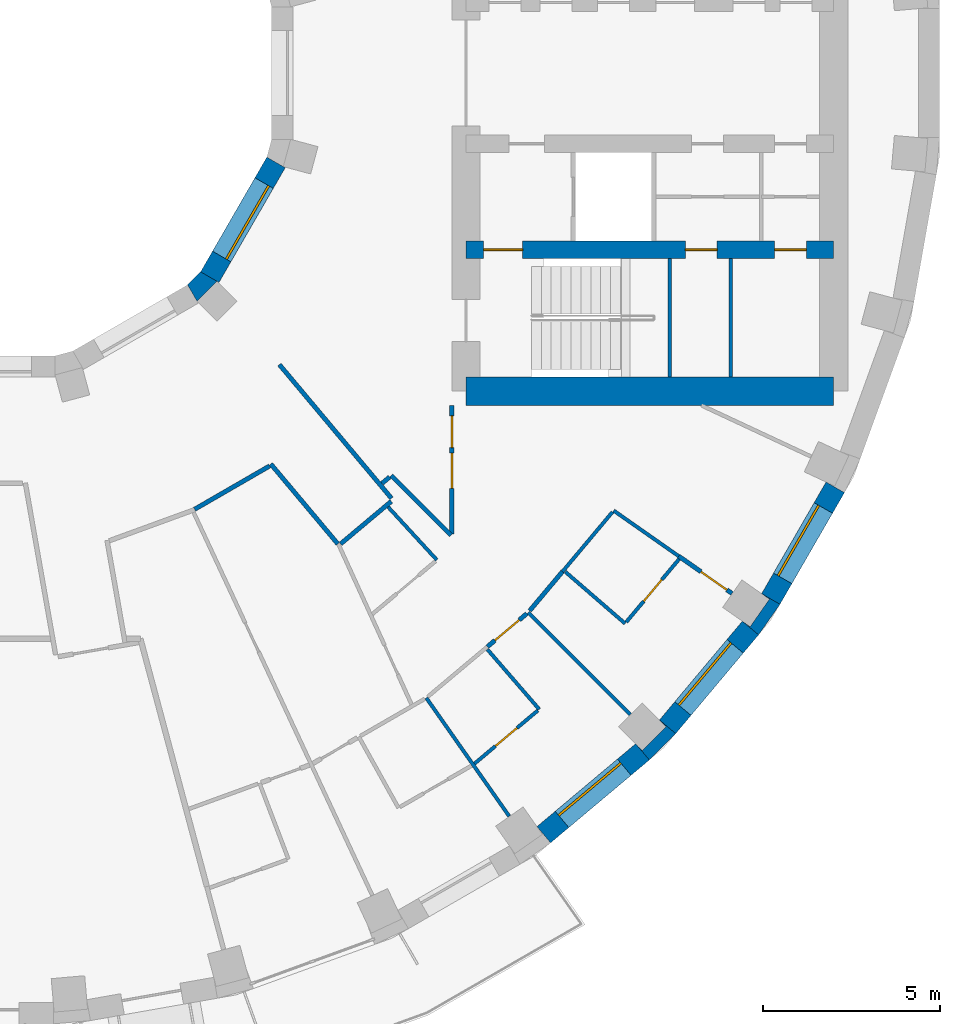
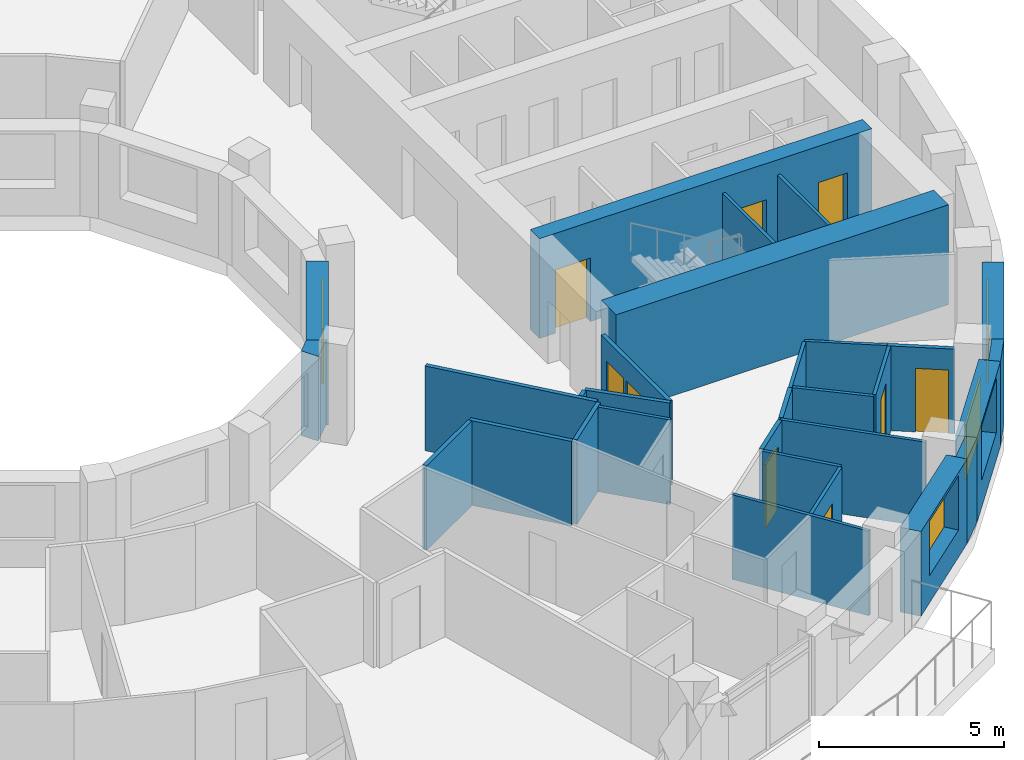
# One storey, part 9 of 16: 30 walls, 9 doors, 4 windows, 13 openings.
"""IFC4 building model written with IfcOpenShell, lengths in metres."""

from ifc_helpers import new_model, si_unit, direction, frame, frame_2d, origin, place, context, subcontext, project, spatial, polyline, rectangle, outline, extrude, material, layer, layer_set, type_object, element, fill, save


model = new_model("IFC4")

# Units and contexts
model_context = context("Model", 3, precision=1e-05, world=origin(), true_north=direction((0.0, 1.0)))
body_context = subcontext(model_context, "Body", "Model", "MODEL_VIEW")
ifc_project = project(units=[si_unit("LENGTHUNIT", "METRE"), si_unit("AREAUNIT", "SQUARE_METRE"), si_unit("VOLUMEUNIT", "CUBIC_METRE"), si_unit("PLANEANGLEUNIT", "RADIAN"), si_unit("MASSUNIT", "GRAM", prefix="KILO")], contexts=[model_context])

# Site, building, storey
site_placement = place(None, origin())
site = spatial("IfcSite", under=ifc_project, at=site_placement, CompositionType="ELEMENT")
building_placement = place(site_placement, origin())
building = spatial("IfcBuilding", under=site, at=building_placement, Name="Saqina Gate Tower", CompositionType="ELEMENT")
storey_placement = place(building_placement, frame((0.0, 0.0, 144.699951171875)))
storey = spatial("IfcBuildingStorey", under=building, at=storey_placement, Name="L41", CompositionType="ELEMENT", Elevation=144.699951171875)

# Walls
ifc_material_1 = material(Name="Brick masonry (buff)", Category="masonry")
wall_type_1 = type_object("IfcWallType", Name="BRICK PIER COPING BUFF", PredefinedType="SOLIDWALL", material=ifc_material_1)
wall_1_placement = place(storey_placement, origin())
element("IfcWall", 1, at=wall_1_placement, inside=storey, type_object=wall_type_1, Name="Pier cap L41 column 32", PredefinedType="SOLIDWALL", context=body_context, shape_type="SweptSolid", body=[
    extrude(outline(polyline([(18.686279296875, -19.43212890625), (19.43212890625, -18.686279296875), (18.972412109375, -18.30078125), (19.16259765625, -18.49072265625), (18.49072265625, -19.16259765625), (18.30078125, -18.972412109375), (18.686279296875, -19.43212890625)])), origin(), (0.0, 0.0, 1.0), 2.800048828125),
])
wall_2_placement = place(storey_placement, origin())
element("IfcWall", 2, at=wall_2_placement, inside=storey, type_object=wall_type_1, Name="Pier cap L41 column 33", PredefinedType="SOLIDWALL", context=body_context, shape_type="SweptSolid", body=[
    extrude(outline(polyline([(22.3818359375, -15.0283203125), (21.862060546875, -14.728271484375), (22.08251953125, -14.88232421875), (21.53759765625, -15.66064453125), (21.317138671875, -15.50634765625), (21.77685546875, -15.89208984375), (22.3818359375, -15.0283203125)])), origin(), (0.0, 0.0, 1.0), 2.800048828125),
])
ifc_material_2 = material(Name="Gypsum board on steel studs", Category="steel")
ifc_layer_1 = layer(ifc_material_2, 0.10009765625)
ifc_layer_set_1 = layer_set([ifc_layer_1], Name="CORE PARTITION")
wall_type_2 = type_object("IfcWallType", Name="CORE PARTITION", PredefinedType="PARTITIONING", material=ifc_layer_set_1)
wall_3_placement = place(storey_placement, frame((20.991943359375, -8.60009765625, 0.0), z_axis=(0.0, 0.0, 1.0), x_axis=(0.0, 1.0, 0.0)))
element("IfcWall", 3, at=wall_3_placement, inside=storey, type_object=wall_type_2, Name="L41-CP-E16", PredefinedType="PARTITIONING", context=body_context, shape_type="SweptSolid", body=[
    extrude(rectangle(XDim=3.35009765625, YDim=0.10009765625, at=frame_2d((1.675048828125, 0.0))), origin(), (0.0, 0.0, 1.0), 2.800048828125),
])

# Wall, opening, window
ifc_material_3 = material(Name="Brick masonry (buff)", Category="masonry")
ifc_layer_2 = layer(ifc_material_3, 0.60009765625)
ifc_layer_set_2 = layer_set([ifc_layer_2], Name="FW-BRICK-BUFF")
wall_type_3 = type_object("IfcWallType", Name="FW-BRICK-BUFF", PredefinedType="SOLIDWALL", material=ifc_layer_set_2)
wall_4_placement = place(storey_placement, frame((15.69921875, -21.547119140625, 0.0), z_axis=(0.0, 0.0, 1.0), x_axis=(0.766055462616, 0.642774476932, 0.0)))
wall_4 = element("IfcWall", 4, at=wall_4_placement, inside=storey, type_object=wall_type_3, Name="Facade wall L41 facet 31", PredefinedType="SOLIDWALL", context=body_context, shape_type="SweptSolid", body=[
    extrude(rectangle(XDim=3.647705078125, YDim=0.60009765625, at=frame_2d((1.82373046875, 0.0))), origin(), (0.0, 0.0, 1.0), 2.800048828125),
])
opening_1_placement = place(wall_4_placement, frame((0.673828125, 0.0, 0.89990234375)))
opening_1 = element("IfcOpeningElement", 5, at=opening_1_placement, cuts=wall_4, Name="Opening G12-W20", PredefinedType="OPENING", context=body_context, shape_type="SweptSolid", body=[
    extrude(rectangle(XDim=2.300048828125, YDim=1.800048828125, at=frame_2d((1.14990234375, 0.89990234375))), frame((0.0, 0.31201171875, 0.0), z_axis=(0.0, -1.0, 0.0), x_axis=(1.0, 0.0, 0.0)), (0.0, 0.0, 1.0), 0.6240234375),
])
ifc_material_4 = material(Name="Aluminium glazing", Category="aluminium")
window_type_1 = type_object("IfcWindowType", Name="WN-B", PartitioningType="SINGLE_PANEL", PredefinedType="WINDOW", material=ifc_material_4)
window_1_placement = place(opening_1_placement, origin())
window_1 = element("IfcWindow", 6, at=window_1_placement, inside=storey, type_object=window_type_1, Name="Window L41 facet 31", OverallHeight=1.800048828125, OverallWidth=2.300048828125, PartitioningType="SINGLE_PANEL", PredefinedType="WINDOW", context=body_context, shape_type="SweptSolid", body=[
    extrude(rectangle(XDim=2.300048828125, YDim=1.800048828125, at=frame_2d((1.14990234375, 0.89990234375))), frame((0.0, 0.179931640625, 0.0), z_axis=(0.0, -1.0, 0.0), x_axis=(1.0, 0.0, 0.0)), (0.0, 0.0, 1.0), 0.06005859375),
])
fill(opening_1, window_1)

wall_5_placement = place(storey_placement, frame((19.202392578125, -18.49365234375, 0.0), z_axis=(0.0, 0.0, 1.0), x_axis=(0.642774476932, 0.766055462616, 0.0)))
wall_5 = element("IfcWall", 7, at=wall_5_placement, inside=storey, type_object=wall_type_3, Name="Facade wall L41 facet 32", PredefinedType="SOLIDWALL", context=body_context, shape_type="SweptSolid", body=[
    extrude(rectangle(XDim=3.647705078125, YDim=0.60009765625, at=frame_2d((1.82373046875, 0.0))), origin(), (0.0, 0.0, 1.0), 2.800048828125),
])
opening_2_placement = place(wall_5_placement, frame((0.673828125, 0.0, 0.89990234375)))
opening_2 = element("IfcOpeningElement", 8, at=opening_2_placement, cuts=wall_5, Name="Opening G12-W21", PredefinedType="OPENING", context=body_context, shape_type="SweptSolid", body=[
    extrude(rectangle(XDim=2.300048828125, YDim=1.800048828125, at=frame_2d((1.14990234375, 0.89990234375))), frame((0.0, 0.31201171875, 0.0), z_axis=(0.0, -1.0, 0.0), x_axis=(1.0, 0.0, 0.0)), (0.0, 0.0, 1.0), 0.6240234375),
])
window_2_placement = place(opening_2_placement, origin())
window_2 = element("IfcWindow", 9, at=window_2_placement, inside=storey, type_object=window_type_1, Name="Window L41 facet 32", OverallHeight=1.800048828125, OverallWidth=2.300048828125, PartitioningType="SINGLE_PANEL", PredefinedType="WINDOW", context=body_context, shape_type="SweptSolid", body=[
    extrude(rectangle(XDim=2.300048828125, YDim=1.800048828125, at=frame_2d((1.14990234375, 0.89990234375))), frame((0.0, 0.179931640625, 0.0), z_axis=(0.0, -1.0, 0.0), x_axis=(1.0, 0.0, 0.0)), (0.0, 0.0, 1.0), 0.06005859375),
])
fill(opening_2, window_2)

wall_6_placement = place(storey_placement, frame((22.1220703125, -14.878173828125, 0.0), z_axis=(0.0, 0.0, 1.0), x_axis=(0.499954196102, 0.866051847062, 0.0)))
wall_6 = element("IfcWall", 10, at=wall_6_placement, inside=storey, type_object=wall_type_3, Name="Facade wall L41 facet 33", PredefinedType="SOLIDWALL", context=body_context, shape_type="SweptSolid", body=[
    extrude(rectangle(XDim=3.647705078125, YDim=0.60009765625, at=frame_2d((1.82373046875, 0.0))), origin(), (0.0, 0.0, 1.0), 2.800048828125),
])
opening_3_placement = place(wall_6_placement, frame((0.673828125, 0.0, 0.89990234375)))
opening_3 = element("IfcOpeningElement", 11, at=opening_3_placement, cuts=wall_6, Name="Opening G12-W22", PredefinedType="OPENING", context=body_context, shape_type="SweptSolid", body=[
    extrude(rectangle(XDim=2.300048828125, YDim=1.800048828125, at=frame_2d((1.14990234375, 0.89990234375))), frame((0.0, 0.31201171875, 0.0), z_axis=(0.0, -1.0, 0.0), x_axis=(1.0, 0.0, 0.0)), (0.0, 0.0, 1.0), 0.6240234375),
])
window_3_placement = place(opening_3_placement, origin())
window_3 = element("IfcWindow", 12, at=window_3_placement, inside=storey, type_object=window_type_1, Name="Window L41 facet 33", OverallHeight=1.800048828125, OverallWidth=2.300048828125, PartitioningType="SINGLE_PANEL", PredefinedType="WINDOW", context=body_context, shape_type="SweptSolid", body=[
    extrude(rectangle(XDim=2.300048828125, YDim=1.800048828125, at=frame_2d((1.14990234375, 0.89990234375))), frame((0.0, 0.179931640625, 0.0), z_axis=(0.0, -1.0, 0.0), x_axis=(1.0, 0.0, 0.0)), (0.0, 0.0, 1.0), 0.06005859375),
])
fill(opening_3, window_3)

ifc_material_5 = material(Name="Glazed ceramic tile", Category="ceramic")
ifc_layer_3 = layer(ifc_material_5, 0.60009765625)
ifc_layer_set_3 = layer_set([ifc_layer_3], Name="IW-TILE")
wall_type_4 = type_object("IfcWallType", Name="IW-TILE", PredefinedType="SOLIDWALL", material=ifc_layer_set_3)
wall_7_placement = place(storey_placement, frame((6.251220703125, -5.772705078125, 0.0), z_axis=(0.0, 0.0, 1.0), x_axis=(0.499964958637, 0.86604563398, 0.0)))
wall_7 = element("IfcWall", 13, at=wall_7_placement, inside=storey, type_object=wall_type_4, Name="Well wall L41 facet 11", PredefinedType="SOLIDWALL", context=body_context, shape_type="SweptSolid", body=[
    extrude(rectangle(XDim=3.747314453125, YDim=0.60009765625, at=frame_2d((1.87353515625, 0.0))), origin(), (0.0, 0.0, 1.0), 2.800048828125),
])
opening_4_placement = place(wall_7_placement, frame((0.673583984375, 0.0, 0.89990234375)))
opening_4 = element("IfcOpeningElement", 14, at=opening_4_placement, cuts=wall_7, Name="Opening G12-W33", PredefinedType="OPENING", context=body_context, shape_type="SweptSolid", body=[
    extrude(rectangle(XDim=2.39990234375, YDim=1.800048828125, at=frame_2d((1.199951171875, 0.89990234375))), frame((0.0, 0.31201171875, 0.0), z_axis=(0.0, -1.0, 0.0), x_axis=(1.0, 0.0, 0.0)), (0.0, 0.0, 1.0), 0.6240234375),
])
ifc_material_6 = material(Name="Aluminium glazing", Category="aluminium")
window_type_2 = type_object("IfcWindowType", Name="WN-W", PartitioningType="SINGLE_PANEL", PredefinedType="WINDOW", material=ifc_material_6)
window_4_placement = place(opening_4_placement, origin())
window_4 = element("IfcWindow", 15, at=window_4_placement, inside=storey, type_object=window_type_2, Name="Well window L41 facet 11", OverallHeight=1.800048828125, OverallWidth=2.39990234375, PartitioningType="SINGLE_PANEL", PredefinedType="WINDOW", context=body_context, shape_type="SweptSolid", body=[
    extrude(rectangle(XDim=2.39990234375, YDim=1.800048828125, at=frame_2d((1.199951171875, 0.89990234375))), frame((0.0, -0.119873046875, 0.0), z_axis=(0.0, -1.0, 0.0), x_axis=(1.0, 0.0, 0.0)), (0.0, 0.0, 1.0), 0.06005859375),
])
fill(opening_4, window_4)

# Walls
ifc_material_7 = material(Name="Gypsum board on steel studs, 100 mm", Category="steel")
ifc_layer_4 = layer(ifc_material_7, 0.10009765625)
ifc_layer_set_4 = layer_set([ifc_layer_4], Name="PARTITION 100")
wall_type_5 = type_object("IfcWallType", Name="PARTITION 100", PredefinedType="PARTITIONING", material=ifc_layer_set_4)
wall_8_placement = place(storey_placement, frame((12.376953125, -17.677001953125, 0.0), z_axis=(0.0, 0.0, 1.0), x_axis=(0.573843281236, -0.818965132702, 0.0)))
element("IfcWall", 16, at=wall_8_placement, inside=storey, type_object=wall_type_5, Name="PARTITION PW3-13", PredefinedType="PARTITIONING", context=body_context, shape_type="SweptSolid", body=[
    extrude(rectangle(XDim=4.085693359375, YDim=0.10009765625, at=frame_2d((2.04296875, 0.0))), origin(), (0.0, 0.0, 1.0), 2.800048828125),
])
wall_9_placement = place(storey_placement, frame((14.10693359375, -16.307373046875, 0.0), z_axis=(0.0, 0.0, 1.0), x_axis=(0.654423540777, -0.756128183099, 0.0)))
element("IfcWall", 17, at=wall_9_placement, inside=storey, type_object=wall_type_5, Name="PARTITION PW3-20", PredefinedType="PARTITIONING", context=body_context, shape_type="SweptSolid", body=[
    extrude(rectangle(XDim=2.2373046875, YDim=0.10009765625, at=frame_2d((1.11865234375, 0.0))), origin(), (0.0, 0.0, 1.0), 2.800048828125),
])
wall_10_placement = place(storey_placement, frame((11.29541015625, -12.27392578125, 0.0), z_axis=(0.0, 0.0, 1.0), x_axis=(0.676981317167, -0.736000201228, 0.0)))
element("IfcWall", 18, at=wall_10_placement, inside=storey, type_object=wall_type_5, Name="PARTITION PW3-22", PredefinedType="PARTITIONING", context=body_context, shape_type="SweptSolid", body=[
    extrude(rectangle(XDim=2.039306640625, YDim=0.10009765625, at=frame_2d((1.01953125, 0.0))), origin(), (0.0, 0.0, 1.0), 2.800048828125),
])
wall_11_placement = place(storey_placement, frame((15.259033203125, -15.259033203125, 0.0), z_axis=(0.0, 0.0, 1.0), x_axis=(0.707106781187, -0.707106781187, 0.0)))
element("IfcWall", 19, at=wall_11_placement, inside=storey, type_object=wall_type_5, Name="PARTITION PW3-24", PredefinedType="PARTITIONING", context=body_context, shape_type="SweptSolid", body=[
    extrude(rectangle(XDim=4.08544921875, YDim=0.10009765625, at=frame_2d((2.042724609375, 0.0))), origin(), (0.0, 0.0, 1.0), 2.800048828125),
])
wall_12_placement = place(storey_placement, frame((16.307373046875, -14.10693359375, 0.0), z_axis=(0.0, 0.0, 1.0), x_axis=(0.756128183099, -0.654423540777, 0.0)))
element("IfcWall", 20, at=wall_12_placement, inside=storey, type_object=wall_type_5, Name="PARTITION PW3-25", PredefinedType="PARTITIONING", context=body_context, shape_type="SweptSolid", body=[
    extrude(rectangle(XDim=2.2373046875, YDim=0.10009765625, at=frame_2d((1.11865234375, 0.0))), origin(), (0.0, 0.0, 1.0), 2.800048828125),
])
wall_13_placement = place(storey_placement, frame((17.677001953125, -12.377197265625, 0.0), z_axis=(0.0, 0.0, 1.0), x_axis=(0.81912468453, -0.573615508153, 0.0)))
element("IfcWall", 21, at=wall_13_placement, inside=storey, type_object=wall_type_5, Name="PARTITION PW3-34", PredefinedType="PARTITIONING", context=body_context, shape_type="SweptSolid", body=[
    extrude(rectangle(XDim=2.246337890625, YDim=0.10009765625, at=frame_2d((1.123046875, 0.0))), origin(), (0.0, 0.0, 1.0), 2.800048828125),
])

# Wall, opening, door
wall_14_placement = place(storey_placement, frame((13.740234375, -19.535888671875, 0.0), z_axis=(0.0, 0.0, 1.0), x_axis=(0.765924716163, 0.642930267735, 0.0)))
wall_14 = element("IfcWall", 22, at=wall_14_placement, inside=storey, type_object=wall_type_5, Name="PARTITION PW3-80", PredefinedType="PARTITIONING", context=body_context, shape_type="SweptSolid", body=[
    extrude(rectangle(XDim=2.34033203125, YDim=0.10009765625, at=frame_2d((1.170166015625, 0.0))), origin(), (0.0, 0.0, 1.0), 2.800048828125),
])
opening_5_placement = place(wall_14_placement, frame((0.77001953125, 0.0, 0.0)))
opening_5 = element("IfcOpeningElement", 23, at=opening_5_placement, cuts=wall_14, Name="Opening G12-D55", PredefinedType="OPENING", context=body_context, shape_type="SweptSolid", body=[
    extrude(rectangle(XDim=0.800048828125, YDim=2.10009765625, at=frame_2d((0.39990234375, 1.050048828125))), frame((0.0, 0.06201171875, 0.0), z_axis=(0.0, -1.0, 0.0), x_axis=(1.0, 0.0, 0.0)), (0.0, 0.0, 1.0), 0.1240234375),
])
ifc_material_8 = material(Name="Timber door leaf, 800 mm", Category="wood")
door_type_1 = type_object("IfcDoorType", Name="DOOR 800 TIMBER", OperationType="SINGLE_SWING_LEFT", PredefinedType="DOOR", material=ifc_material_8)
door_1_placement = place(opening_5_placement, frame((0.800048828125, 0.0, 0.0), z_axis=(0.0, 0.0, 1.0), x_axis=(-1.0, 0.0, 0.0)))
door_1 = element("IfcDoor", 24, at=door_1_placement, inside=storey, type_object=door_type_1, Name="DOOR G12-D55", OperationType="SINGLE_SWING_RIGHT", OverallHeight=2.10009765625, OverallWidth=0.800048828125, PredefinedType="DOOR", context=body_context, shape_type="SweptSolid", body=[
    extrude(rectangle(XDim=0.800048828125, YDim=2.10009765625, at=frame_2d((0.39990234375, 1.050048828125))), frame((0.0, 0.02490234375, 0.0), z_axis=(0.0, -1.0, 0.0), x_axis=(1.0, 0.0, 0.0)), (0.0, 0.0, 1.0), 0.050048828125),
])
fill(opening_5, door_1)

wall_15_placement = place(storey_placement, frame((18.03125, -15.53271484375, 0.0), z_axis=(0.0, 0.0, 1.0), x_axis=(0.64291410234, 0.765938285381, 0.0)))
wall_15 = element("IfcWall", 25, at=wall_15_placement, inside=storey, type_object=wall_type_5, Name="PARTITION PW3-90", PredefinedType="PARTITIONING", context=body_context, shape_type="SweptSolid", body=[
    extrude(rectangle(XDim=2.327880859375, YDim=0.10009765625, at=frame_2d((1.1640625, 0.0))), origin(), (0.0, 0.0, 1.0), 2.800048828125),
])
opening_6_placement = place(wall_15_placement, frame((0.77001953125, 0.0, 0.0)))
opening_6 = element("IfcOpeningElement", 26, at=opening_6_placement, cuts=wall_15, Name="Opening G12-D59", PredefinedType="OPENING", context=body_context, shape_type="SweptSolid", body=[
    extrude(rectangle(XDim=0.800048828125, YDim=2.10009765625, at=frame_2d((0.39990234375, 1.050048828125))), frame((0.0, 0.06201171875, 0.0), z_axis=(0.0, -1.0, 0.0), x_axis=(1.0, 0.0, 0.0)), (0.0, 0.0, 1.0), 0.1240234375),
])
door_2_placement = place(opening_6_placement, frame((0.800048828125, 0.0, 0.0), z_axis=(0.0, 0.0, 1.0), x_axis=(-1.0, 0.0, 0.0)))
door_2 = element("IfcDoor", 27, at=door_2_placement, inside=storey, type_object=door_type_1, Name="DOOR G12-D59", OperationType="SINGLE_SWING_LEFT", OverallHeight=2.10009765625, OverallWidth=0.800048828125, PredefinedType="DOOR", context=body_context, shape_type="SweptSolid", body=[
    extrude(rectangle(XDim=0.800048828125, YDim=2.10009765625, at=frame_2d((0.39990234375, 1.050048828125))), frame((0.0, 0.02490234375, 0.0), z_axis=(0.0, -1.0, 0.0), x_axis=(1.0, 0.0, 0.0)), (0.0, 0.0, 1.0), 0.050048828125),
])
fill(opening_6, door_2)

# Walls
wall_16_placement = place(storey_placement, frame((16.22802734375, -14.1044921875, 0.0), z_axis=(0.0, 0.0, 1.0), x_axis=(0.642710935311, 0.766108774021, 0.0)))
element("IfcWall", 28, at=wall_16_placement, inside=storey, type_object=wall_type_5, Name="PARTITION PW3-91", PredefinedType="PARTITIONING", context=body_context, shape_type="SweptSolid", body=[
    extrude(rectangle(XDim=2.2021484375, YDim=0.10009765625, at=frame_2d((1.10107421875, 0.0))), origin(), (0.0, 0.0, 1.0), 2.800048828125),
])
ifc_material_9 = material(Name="Gypsum board on steel studs, 125 mm, fire rated", Category="steel")
ifc_layer_5 = layer(ifc_material_9, 0.125)
ifc_layer_set_5 = layer_set([ifc_layer_5], Name="PARTITION EI 30 125")
wall_type_6 = type_object("IfcWallType", Name="PARTITION EI 30 125", PredefinedType="PARTITIONING", material=ifc_layer_set_5)
wall_17_placement = place(storey_placement, frame((7.97705078125, -11.05908203125, 0.0), z_axis=(0.0, 0.0, 1.0), x_axis=(0.642679638204, -0.766135028985, 0.0)))
element("IfcWall", 29, at=wall_17_placement, inside=storey, type_object=wall_type_6, Name="PARTITION PW1-06", PredefinedType="PARTITIONING", context=body_context, shape_type="SweptSolid", body=[
    extrude(rectangle(XDim=2.950439453125, YDim=0.125, at=frame_2d((1.47509765625, 0.0))), origin(), (0.0, 0.0, 1.0), 2.800048828125),
])
wall_18_placement = place(storey_placement, frame((8.2197265625, -8.246826171875, 0.0), z_axis=(0.0, 0.0, 1.0), x_axis=(0.642555132876, -0.766239454228, 0.0)))
element("IfcWall", 30, at=wall_18_placement, inside=storey, type_object=wall_type_6, Name="PARTITION PW1-08", PredefinedType="PARTITIONING", context=body_context, shape_type="SweptSolid", body=[
    extrude(rectangle(XDim=4.936767578125, YDim=0.125, at=frame_2d((2.46826171875, 0.0))), origin(), (0.0, 0.0, 1.0), 2.800048828125),
])
wall_19_placement = place(storey_placement, frame((11.387939453125, -11.385009765625, 0.0), z_axis=(0.0, 0.0, 1.0), x_axis=(0.707157874563, -0.707055684118, 0.0)))
element("IfcWall", 31, at=wall_19_placement, inside=storey, type_object=wall_type_6, Name="PARTITION PW1-10", PredefinedType="PARTITIONING", context=body_context, shape_type="SweptSolid", body=[
    extrude(rectangle(XDim=2.38916015625, YDim=0.125, at=frame_2d((1.194580078125, 0.0))), origin(), (0.0, 0.0, 1.0), 2.800048828125),
])

# Wall, opening, door
wall_20_placement = place(storey_placement, frame((19.516845703125, -13.666259765625, 0.0), z_axis=(0.0, 0.0, 1.0), x_axis=(0.819319221636, -0.573337608271, 0.0)))
wall_20 = element("IfcWall", 32, at=wall_20_placement, inside=storey, type_object=wall_type_6, Name="PARTITION PW1-15", PredefinedType="PARTITIONING", context=body_context, shape_type="SweptSolid", body=[
    extrude(rectangle(XDim=1.839111328125, YDim=0.125, at=frame_2d((0.91943359375, 0.0))), origin(), (0.0, 0.0, 1.0), 2.800048828125),
])
opening_7_placement = place(wall_20_placement, frame((0.767333984375, 0.0, 0.0)))
opening_7 = element("IfcOpeningElement", 33, at=opening_7_placement, cuts=wall_20, Name="Opening G12-D61", PredefinedType="OPENING", context=body_context, shape_type="SweptSolid", body=[
    extrude(rectangle(XDim=0.89990234375, YDim=2.10009765625, at=frame_2d((0.449951171875, 1.050048828125))), frame((0.0, 0.074462890625, 0.0), z_axis=(0.0, -1.0, 0.0), x_axis=(1.0, 0.0, 0.0)), (0.0, 0.0, 1.0), 0.14892578125),
])
ifc_material_10 = material(Name="Fire door leaf EI 30, 900 mm")
door_type_2 = type_object("IfcDoorType", Name="DOOR 900 EI 30", OperationType="SINGLE_SWING_LEFT", PredefinedType="DOOR", material=ifc_material_10)
door_3_placement = place(opening_7_placement, origin())
door_3 = element("IfcDoor", 34, at=door_3_placement, inside=storey, type_object=door_type_2, Name="DOOR G12-D61", OperationType="SINGLE_SWING_RIGHT", OverallHeight=2.10009765625, OverallWidth=0.89990234375, PredefinedType="DOOR", context=body_context, shape_type="SweptSolid", body=[
    extrude(rectangle(XDim=0.89990234375, YDim=2.10009765625, at=frame_2d((0.449951171875, 1.050048828125))), frame((0.0, 0.02490234375, 0.0), z_axis=(0.0, -1.0, 0.0), x_axis=(1.0, 0.0, 0.0)), (0.0, 0.0, 1.0), 0.050048828125),
])
fill(opening_7, door_3)

# Walls
wall_21_placement = place(storey_placement, frame((5.822021484375, -12.33984375, 0.0), z_axis=(0.0, 0.0, 1.0), x_axis=(0.865951440693, 0.500128085955, 0.0)))
element("IfcWall", 35, at=wall_21_placement, inside=storey, type_object=wall_type_6, Name="PARTITION PW1-39", PredefinedType="PARTITIONING", context=body_context, shape_type="SweptSolid", body=[
    extrude(rectangle(XDim=2.448486328125, YDim=0.125, at=frame_2d((1.22412109375, 0.0))), origin(), (0.0, 0.0, 1.0), 2.800048828125),
])
wall_22_placement = place(storey_placement, frame((11.125, -11.606201171875, 0.0), z_axis=(0.0, 0.0, 1.0), x_axis=(0.766857755144, 0.641817094955, 0.0)))
element("IfcWall", 36, at=wall_22_placement, inside=storey, type_object=wall_type_6, Name="PARTITION PW1-43", PredefinedType="PARTITIONING", context=body_context, shape_type="SweptSolid", body=[
    extrude(rectangle(XDim=0.279296875, YDim=0.125, at=frame_2d((0.1396484375, 0.0))), origin(), (0.0, 0.0, 1.0), 2.800048828125),
])

# Wall, opening, door
wall_23_placement = place(storey_placement, frame((14.104248046875, -16.227783203125, 0.0), z_axis=(0.0, 0.0, 1.0), x_axis=(0.766114305984, 0.642704341177, 0.0)))
wall_23 = element("IfcWall", 37, at=wall_23_placement, inside=storey, type_object=wall_type_6, Name="PARTITION PW1-44", PredefinedType="PARTITIONING", context=body_context, shape_type="SweptSolid", body=[
    extrude(rectangle(XDim=1.4560546875, YDim=0.125, at=frame_2d((0.72802734375, 0.0))), origin(), (0.0, 0.0, 1.0), 2.800048828125),
])
opening_8_placement = place(wall_23_placement, frame((0.278076171875, 0.0, 0.0)))
opening_8 = element("IfcOpeningElement", 38, at=opening_8_placement, cuts=wall_23, Name="Opening G12-D57", PredefinedType="OPENING", context=body_context, shape_type="SweptSolid", body=[
    extrude(rectangle(XDim=0.89990234375, YDim=2.10009765625, at=frame_2d((0.449951171875, 1.050048828125))), frame((0.0, 0.074462890625, 0.0), z_axis=(0.0, -1.0, 0.0), x_axis=(1.0, 0.0, 0.0)), (0.0, 0.0, 1.0), 0.14892578125),
])
door_4_placement = place(opening_8_placement, origin())
door_4 = element("IfcDoor", 39, at=door_4_placement, inside=storey, type_object=door_type_2, Name="DOOR G12-D57", OperationType="SINGLE_SWING_RIGHT", OverallHeight=2.10009765625, OverallWidth=0.89990234375, PredefinedType="DOOR", context=body_context, shape_type="SweptSolid", body=[
    extrude(rectangle(XDim=0.89990234375, YDim=2.10009765625, at=frame_2d((0.449951171875, 1.050048828125))), frame((0.0, 0.02490234375, 0.0), z_axis=(0.0, -1.0, 0.0), x_axis=(1.0, 0.0, 0.0)), (0.0, 0.0, 1.0), 0.050048828125),
])
fill(opening_8, door_4)

# Walls
wall_24_placement = place(storey_placement, frame((9.95361328125, -13.3173828125, 0.0), z_axis=(0.0, 0.0, 1.0), x_axis=(0.766162509907, 0.642646876919, 0.0)))
element("IfcWall", 40, at=wall_24_placement, inside=storey, type_object=wall_type_6, Name="PARTITION PW1-45", PredefinedType="PARTITIONING", context=body_context, shape_type="SweptSolid", body=[
    extrude(rectangle(XDim=1.869873046875, YDim=0.125, at=frame_2d((0.93505859375, 0.0))), origin(), (0.0, 0.0, 1.0), 2.800048828125),
])
wall_25_placement = place(storey_placement, frame((15.300048828125, -15.210205078125, 0.0), z_axis=(0.0, 0.0, 1.0), x_axis=(0.642676314535, 0.766137817064, 0.0)))
element("IfcWall", 41, at=wall_25_placement, inside=storey, type_object=wall_type_6, Name="PARTITION PW1-51", PredefinedType="PARTITIONING", context=body_context, shape_type="SweptSolid", body=[
    extrude(rectangle(XDim=1.443603515625, YDim=0.125, at=frame_2d((0.7216796875, 0.0))), origin(), (0.0, 0.0, 1.0), 2.800048828125),
])

# Wall, openings, doors
wall_26_placement = place(storey_placement, frame((13.10009765625, -13.032470703125, 0.0), z_axis=(0.0, 0.0, 1.0), x_axis=(0.0, 1.0, 0.0)))
wall_26 = element("IfcWall", 42, at=wall_26_placement, inside=storey, type_object=wall_type_6, Name="PARTITION PW1-59", PredefinedType="PARTITIONING", context=body_context, shape_type="SweptSolid", body=[
    extrude(rectangle(XDim=3.631591796875, YDim=0.125, at=frame_2d((1.81591796875, 0.0))), origin(), (0.0, 0.0, 1.0), 2.800048828125),
])
opening_9_placement = place(wall_26_placement, frame((1.284423828125, 0.0, 0.0)))
opening_9 = element("IfcOpeningElement", 43, at=opening_9_placement, cuts=wall_26, Name="Opening G12-D58", PredefinedType="OPENING", context=body_context, shape_type="SweptSolid", body=[
    extrude(rectangle(XDim=1.0, YDim=2.10009765625, at=frame_2d((0.5, 1.050048828125))), frame((0.0, 0.074462890625, 0.0), z_axis=(0.0, -1.0, 0.0), x_axis=(1.0, 0.0, 0.0)), (0.0, 0.0, 1.0), 0.14892578125),
])
opening_10_placement = place(wall_26_placement, frame((2.4345703125, 0.0, 0.0)))
opening_10 = element("IfcOpeningElement", 44, at=opening_10_placement, cuts=wall_26, Name="Opening G12-D60", PredefinedType="OPENING", context=body_context, shape_type="SweptSolid", body=[
    extrude(rectangle(XDim=0.89990234375, YDim=2.10009765625, at=frame_2d((0.449951171875, 1.050048828125))), frame((0.0, 0.074462890625, 0.0), z_axis=(0.0, -1.0, 0.0), x_axis=(1.0, 0.0, 0.0)), (0.0, 0.0, 1.0), 0.14892578125),
])
ifc_material_11 = material(Name="Fire door leaf EI 30, 1000 mm")
door_type_3 = type_object("IfcDoorType", Name="DOOR 1000 EI 30", OperationType="SINGLE_SWING_LEFT", PredefinedType="DOOR", material=ifc_material_11)
door_5_placement = place(opening_9_placement, frame((1.0, 0.0, 0.0), z_axis=(0.0, 0.0, 1.0), x_axis=(-1.0, 0.0, 0.0)))
door_5 = element("IfcDoor", 45, at=door_5_placement, inside=storey, type_object=door_type_3, Name="DOOR G12-D58", OperationType="SINGLE_SWING_RIGHT", OverallHeight=2.10009765625, OverallWidth=1.0, PredefinedType="DOOR", context=body_context, shape_type="SweptSolid", body=[
    extrude(rectangle(XDim=1.0, YDim=2.10009765625, at=frame_2d((0.5, 1.050048828125))), frame((0.0, 0.02490234375, 0.0), z_axis=(0.0, -1.0, 0.0), x_axis=(1.0, 0.0, 0.0)), (0.0, 0.0, 1.0), 0.050048828125),
])
fill(opening_9, door_5)
door_6_placement = place(opening_10_placement, frame((0.89990234375, 0.0, 0.0), z_axis=(0.0, 0.0, 1.0), x_axis=(-1.0, 0.0, 0.0)))
door_6 = element("IfcDoor", 46, at=door_6_placement, inside=storey, type_object=door_type_2, Name="DOOR G12-D60", OperationType="SINGLE_SWING_LEFT", OverallHeight=2.10009765625, OverallWidth=0.89990234375, PredefinedType="DOOR", context=body_context, shape_type="SweptSolid", body=[
    extrude(rectangle(XDim=0.89990234375, YDim=2.10009765625, at=frame_2d((0.449951171875, 1.050048828125))), frame((0.0, 0.02490234375, 0.0), z_axis=(0.0, -1.0, 0.0), x_axis=(1.0, 0.0, 0.0)), (0.0, 0.0, 1.0), 0.050048828125),
])
fill(opening_10, door_6)

# Wall
ifc_material_12 = material(Name="Autoclaved aerated concrete block", Category="concrete")
ifc_layer_6 = layer(ifc_material_12, 0.10009765625)
ifc_layer_set_6 = layer_set([ifc_layer_6], Name="STAIR ENCLOSURE WALL")
wall_type_7 = type_object("IfcWallType", Name="STAIR ENCLOSURE WALL", PredefinedType="PARTITIONING", material=ifc_layer_set_6)
wall_27_placement = place(storey_placement, frame((19.27001953125, -8.60009765625, 0.0), z_axis=(0.0, 0.0, 1.0), x_axis=(0.0, 1.0, 0.0)))
element("IfcWall", 47, at=wall_27_placement, inside=storey, type_object=wall_type_7, Name="L41-CP-E15", PredefinedType="PARTITIONING", context=body_context, shape_type="SweptSolid", body=[
    extrude(rectangle(XDim=3.35009765625, YDim=0.10009765625, at=frame_2d((1.675048828125, 0.0))), origin(), (0.0, 0.0, 1.0), 2.800048828125),
])

# Wall, openings, doors
ifc_material_13 = material(Name="Concrete C70/85", Category="concrete")
ifc_layer_7 = layer(ifc_material_13, 0.5)
ifc_layer_set_7 = layer_set([ifc_layer_7], Name="Concrete C70/85")
wall_type_8 = type_object("IfcWallType", Name="STR-CORE WALL-B-I", PredefinedType="SHEAR", material=ifc_layer_set_7)
wall_28_placement = place(storey_placement, frame((13.5, -5.0, 0.0), z_axis=(0.0, 0.0, 1.0), x_axis=(1.0, 0.0, 0.0)))
wall_28 = element("IfcWall", 48, at=wall_28_placement, inside=storey, type_object=wall_type_8, Name="CORE WALL L41 E-X2", PredefinedType="SHEAR", context=body_context, shape_type="SweptSolid", body=[
    extrude(rectangle(XDim=10.39990234375, YDim=0.5, at=frame_2d((5.199951171875, 0.0))), origin(), (0.0, 0.0, 1.0), 3.300048828125),
])
opening_11_placement = place(wall_28_placement, frame((6.2060546875, 0.0, 0.0)))
opening_11 = element("IfcOpeningElement", 49, at=opening_11_placement, cuts=wall_28, Name="Opening G12-D104", PredefinedType="OPENING", context=body_context, shape_type="SweptSolid", body=[
    extrude(rectangle(XDim=0.89990234375, YDim=2.10009765625, at=frame_2d((0.449951171875, 1.050048828125))), frame((0.0, 0.261962890625, 0.0), z_axis=(0.0, -1.0, 0.0), x_axis=(1.0, 0.0, 0.0)), (0.0, 0.0, 1.0), 0.52392578125),
])
opening_12_placement = place(wall_28_placement, frame((8.729248046875, 0.0, 0.0)))
opening_12 = element("IfcOpeningElement", 50, at=opening_12_placement, cuts=wall_28, Name="Opening G12-D105", PredefinedType="OPENING", context=body_context, shape_type="SweptSolid", body=[
    extrude(rectangle(XDim=0.89990234375, YDim=2.10009765625, at=frame_2d((0.449951171875, 1.050048828125))), frame((0.0, 0.261962890625, 0.0), z_axis=(0.0, -1.0, 0.0), x_axis=(1.0, 0.0, 0.0)), (0.0, 0.0, 1.0), 0.52392578125),
])
opening_13_placement = place(wall_28_placement, frame((0.5, 0.0, 0.0)))
opening_13 = element("IfcOpeningElement", 51, at=opening_13_placement, cuts=wall_28, Name="Opening G12-D106", PredefinedType="OPENING", context=body_context, shape_type="SweptSolid", body=[
    extrude(rectangle(XDim=1.10009765625, YDim=2.10009765625, at=frame_2d((0.550048828125, 1.050048828125))), frame((0.0, 0.261962890625, 0.0), z_axis=(0.0, -1.0, 0.0), x_axis=(1.0, 0.0, 0.0)), (0.0, 0.0, 1.0), 0.52392578125),
])
ifc_material_14 = material(Name="Steel", Category="steel")
door_type_4 = type_object("IfcDoorType", Name="FIRE LOBBY DOOR EI 60 WIDE", OperationType="SINGLE_SWING_LEFT", PredefinedType="DOOR", material=ifc_material_14)
door_7_placement = place(opening_13_placement, frame((1.10009765625, 0.0, 0.0), z_axis=(0.0, 0.0, 1.0), x_axis=(-1.0, 0.0, 0.0)))
door_7 = element("IfcDoor", 52, at=door_7_placement, inside=storey, type_object=door_type_4, Name="L41-CD-E17", OperationType="SINGLE_SWING_RIGHT", OverallHeight=2.10009765625, OverallWidth=1.10009765625, PredefinedType="DOOR", context=body_context, shape_type="SweptSolid", body=[
    extrude(rectangle(XDim=1.10009765625, YDim=2.10009765625, at=frame_2d((0.550048828125, 1.050048828125))), frame((0.0, 0.02490234375, 0.0), z_axis=(0.0, -1.0, 0.0), x_axis=(1.0, 0.0, 0.0)), (0.0, 0.0, 1.0), 0.050048828125),
])
fill(opening_13, door_7)
ifc_material_15 = material(Name="Steel-framed fire door leaf, EI 60", Category="steel")
door_type_5 = type_object("IfcDoorType", Name="SERVICE ROOM DOOR 900", OperationType="SINGLE_SWING_LEFT", PredefinedType="DOOR", material=ifc_material_15)
door_8_placement = place(opening_11_placement, frame((0.89990234375, 0.0, 0.0), z_axis=(0.0, 0.0, 1.0), x_axis=(-1.0, 0.0, 0.0)))
door_8 = element("IfcDoor", 53, at=door_8_placement, inside=storey, type_object=door_type_5, Name="L41-CD-E15", OperationType="SINGLE_SWING_LEFT", OverallHeight=2.10009765625, OverallWidth=0.89990234375, PredefinedType="DOOR", context=body_context, shape_type="SweptSolid", body=[
    extrude(rectangle(XDim=0.89990234375, YDim=2.10009765625, at=frame_2d((0.449951171875, 1.050048828125))), frame((0.0, 0.02490234375, 0.0), z_axis=(0.0, -1.0, 0.0), x_axis=(1.0, 0.0, 0.0)), (0.0, 0.0, 1.0), 0.050048828125),
])
fill(opening_11, door_8)
door_9_placement = place(opening_12_placement, frame((0.89990234375, 0.0, 0.0), z_axis=(0.0, 0.0, 1.0), x_axis=(-1.0, 0.0, 0.0)))
door_9 = element("IfcDoor", 54, at=door_9_placement, inside=storey, type_object=door_type_5, Name="L41-CD-E16", OperationType="SINGLE_SWING_LEFT", OverallHeight=2.10009765625, OverallWidth=0.89990234375, PredefinedType="DOOR", context=body_context, shape_type="SweptSolid", body=[
    extrude(rectangle(XDim=0.89990234375, YDim=2.10009765625, at=frame_2d((0.449951171875, 1.050048828125))), frame((0.0, 0.02490234375, 0.0), z_axis=(0.0, -1.0, 0.0), x_axis=(1.0, 0.0, 0.0)), (0.0, 0.0, 1.0), 0.050048828125),
])
fill(opening_12, door_9)

# Walls
ifc_material_16 = material(Name="Concrete C70/85", Category="concrete")
ifc_layer_8 = layer(ifc_material_16, 0.800048828125)
ifc_layer_set_8 = layer_set([ifc_layer_8], Name="Concrete C70/85")
wall_type_9 = type_object("IfcWallType", Name="STR-CORE WALL-B-O", PredefinedType="SHEAR", material=ifc_layer_set_8)
wall_29_placement = place(storey_placement, frame((13.5, -9.0, 0.0), z_axis=(0.0, 0.0, 1.0), x_axis=(1.0, 0.0, 0.0)))
element("IfcWall", 55, at=wall_29_placement, inside=storey, type_object=wall_type_9, Name="CORE WALL L41 E-SE", PredefinedType="SHEAR", context=body_context, shape_type="SweptSolid", body=[
    extrude(rectangle(XDim=10.39990234375, YDim=0.800048828125, at=frame_2d((5.199951171875, 0.0))), origin(), (0.0, 0.0, 1.0), 3.300048828125),
])
ifc_material_17 = material(Name="Glazed ceramic tile", Category="ceramic")
wall_type_10 = type_object("IfcWallType", Name="TILE PIER COPING", PredefinedType="SOLIDWALL", material=ifc_material_17)
wall_30_placement = place(storey_placement, origin())
element("IfcWall", 56, at=wall_30_placement, inside=storey, type_object=wall_type_10, Name="Well pier cap L41 column 11", PredefinedType="SOLIDWALL", context=body_context, shape_type="SweptSolid", body=[
    extrude(outline(polyline([(5.891845703125, -6.45751953125), (6.45751953125, -5.891845703125), (5.991455078125, -5.622802734375), (5.622802734375, -5.991455078125), (5.891845703125, -6.45751953125)])), origin(), (0.0, 0.0, 1.0), 2.800048828125),
])

save(model, "model.ifc")
